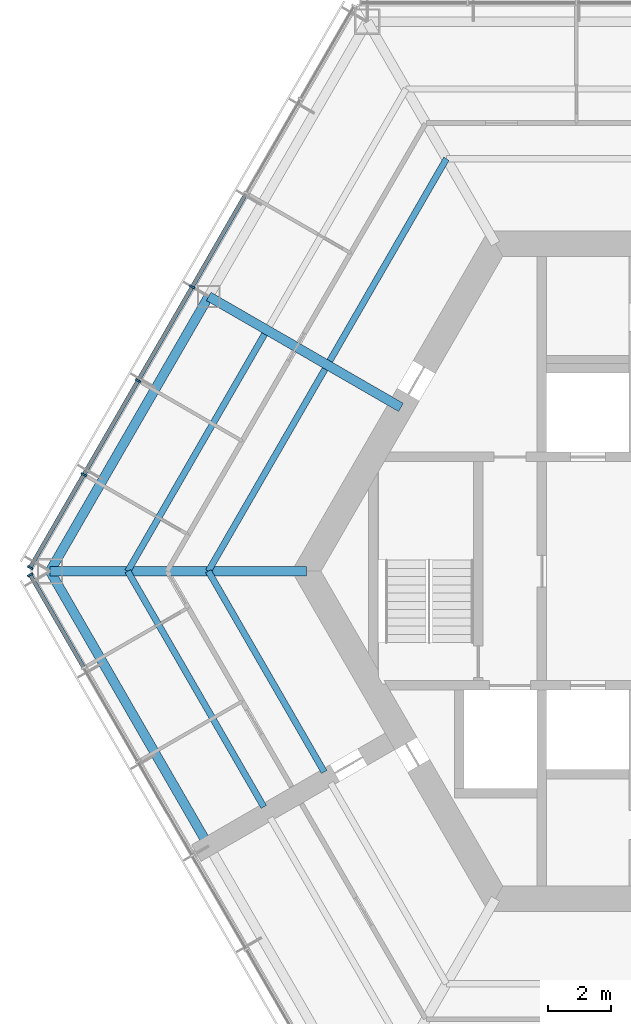
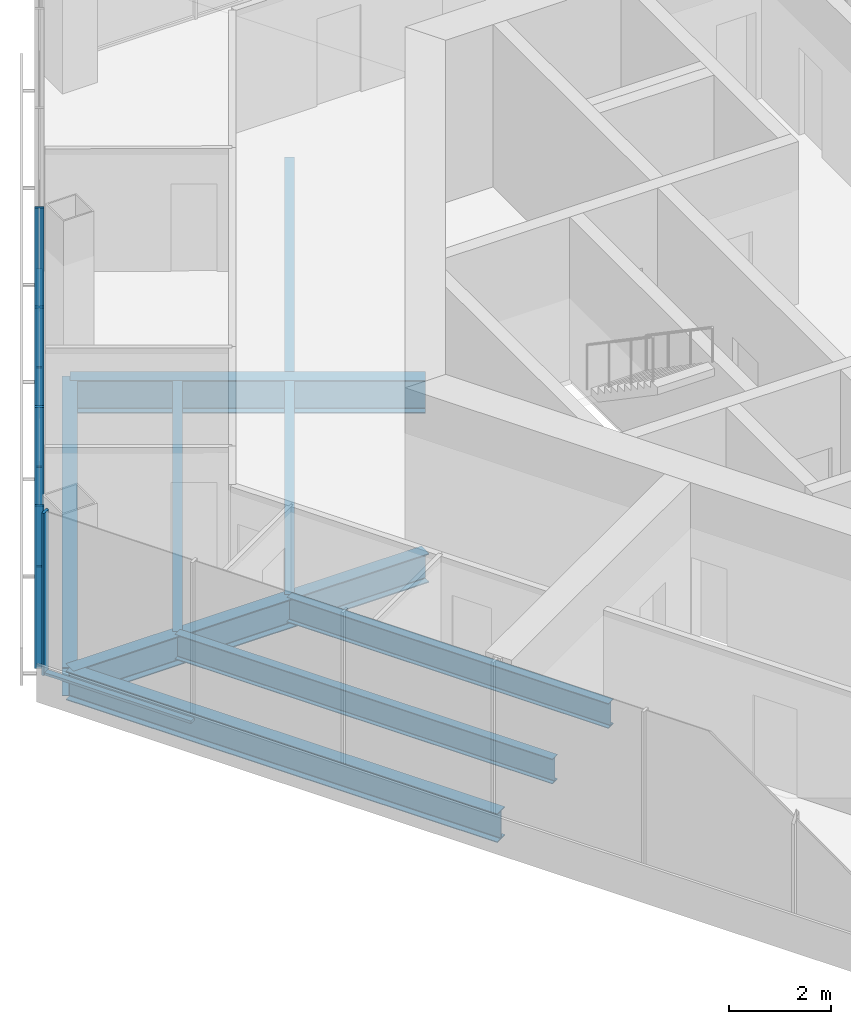
# One storey, part 3 of 13: 10 members, 9 beams, 2 elements without a shape of their own.
"""IFC4 building model written with IfcOpenShell, lengths in metres."""

from ifc_helpers import new_model, si_unit, direction, frame, origin, origin_2d, place, context, subcontext, project, spatial, rectangle, i_section, extrude, material, material_profile, profile_set, type_object, element, aggregate, save


model = new_model("IFC4")

# Units and contexts
model_context = context("Model", 3, precision=1e-05, world=origin(), true_north=direction((0.0, 1.0)))
body_context = subcontext(model_context, "Body", "Model", "MODEL_VIEW")
ifc_project = project(units=[si_unit("LENGTHUNIT", "METRE"), si_unit("AREAUNIT", "SQUARE_METRE"), si_unit("VOLUMEUNIT", "CUBIC_METRE"), si_unit("PLANEANGLEUNIT", "RADIAN"), si_unit("MASSUNIT", "GRAM", prefix="KILO")], contexts=[model_context])

# Site, building, storey
site_placement = place(None, origin())
site = spatial("IfcSite", under=ifc_project, at=site_placement, CompositionType="ELEMENT")
building_placement = place(site_placement, origin())
building = spatial("IfcBuilding", under=site, at=building_placement, Name="Kasaneha Research Tower", CompositionType="ELEMENT")
storey_placement = place(building_placement, frame((0.0, 0.0, 283.0)))
storey = spatial("IfcBuildingStorey", under=building, at=storey_placement, Name="L71", CompositionType="ELEMENT", Elevation=283.0)

# Beams
ifc_material_1 = material(Name="Steel SN490B", Category="steel")
ifc_material_profile_1 = material_profile(ifc_material_1, i_section(OverallWidth=0.199951171875, OverallDepth=0.60009765625, WebThickness=0.010986328125, FlangeThickness=0.01708984375, FilletRadius=0.012939453125, at=origin_2d()), Name="H-600x200x11x17")
ifc_profile_set_1 = profile_set([ifc_material_profile_1], Name="Steel SN490B")
beam_type_1 = type_object("IfcBeamType", Name="B1-3 secondary beam H-600x200x11x17", PredefinedType="JOIST", material=ifc_profile_set_1)
for number, where, z_axis, x_axis, name in (
    (1, (-7.505615234375, 13.0, -0.449951171875), (-0.499994443168, -0.866028611999, 0.0), (0.866028611999, -0.499994443168, 0.0), "Secondary beam RS150L1 L71"),
    (2, (-15.010986328125, 0.0, -0.449951171875), (0.499994443168, 0.866028611999, 0.0), (-0.866028611999, 0.499994443168, 0.0), "Secondary beam RS150R1 L71"),
):
    element("IfcBeam", number, at=place(storey_placement, frame(where, z_axis=z_axis, x_axis=x_axis)), inside=storey, type_object=beam_type_1, Name=name, PredefinedType="JOIST", context=body_context, shape_type="SweptSolid", body=[
        extrude(i_section(OverallWidth=0.199951171875, OverallDepth=0.60009765625, WebThickness=0.010986328125, FlangeThickness=0.01708984375, FilletRadius=0.012939453125, at=origin_2d()), origin(), (0.0, 0.0, 1.0), 7.35546875),
    ])
beam_1_placement = place(storey_placement, frame((-17.551513671875, 0.0, -0.449951171875), z_axis=(0.5000050195, 0.866022505755, 0.0), x_axis=(-0.866022505755, 0.5000050195, 0.0)))
element("IfcBeam", 3, at=beam_1_placement, inside=storey, type_object=beam_type_1, Name="Secondary beam RS150R2 L71", PredefinedType="JOIST", context=body_context, shape_type="SweptSolid", body=[
    extrude(i_section(OverallWidth=0.199951171875, OverallDepth=0.60009765625, WebThickness=0.010986328125, FlangeThickness=0.01708984375, FilletRadius=0.012939453125, at=origin_2d()), origin(), (0.0, 0.0, 1.0), 8.6259765625),
])
beam_2_placement = place(storey_placement, frame((-15.010986328125, 0.0, -0.449951171875), z_axis=(0.499974128195, -0.866040340363, 0.0), x_axis=(0.866040340363, 0.499974128195, 0.0)))
element("IfcBeam", 4, at=beam_2_placement, inside=storey, type_object=beam_type_1, Name="Secondary beam RS210L1 L71", PredefinedType="JOIST", context=body_context, shape_type="SweptSolid", body=[
    extrude(i_section(OverallWidth=0.199951171875, OverallDepth=0.60009765625, WebThickness=0.010986328125, FlangeThickness=0.01708984375, FilletRadius=0.012939453125, at=origin_2d()), origin(), (0.0, 0.0, 1.0), 7.3056640625),
])
beam_3_placement = place(storey_placement, frame((-17.551513671875, 0.0, -0.449951171875), z_axis=(0.500000102728, -0.866025344474, 0.0), x_axis=(0.866025344474, 0.500000102728, 0.0)))
element("IfcBeam", 5, at=beam_3_placement, inside=storey, type_object=beam_type_1, Name="Secondary beam RS210L2 L71", PredefinedType="JOIST", context=body_context, shape_type="SweptSolid", body=[
    extrude(i_section(OverallWidth=0.199951171875, OverallDepth=0.60009765625, WebThickness=0.010986328125, FlangeThickness=0.01708984375, FilletRadius=0.012939453125, at=origin_2d()), origin(), (0.0, 0.0, 1.0), 8.57568359375),
])

# Curtain wall, members
ifc_material_2 = material(Name="Glass and aluminium", Category="aluminium")
curtain_wall_type = type_object("IfcCurtainWallType", Name="Crown curtain wall", PredefinedType="USERDEFINED", material=ifc_material_2)
curtain_wall_1_placement = place(storey_placement, origin())
curtain_wall_1 = element("IfcCurtainWall", 6, at=curtain_wall_1_placement, inside=storey, type_object=curtain_wall_type, Name="CW-C L71 run 03a", ObjectType="UNITISED CURTAIN WALL", PredefinedType="USERDEFINED")
ifc_material_3 = material(Name="Aluminium 6063-T6", Category="aluminium")
ifc_material_profile_2 = material_profile(ifc_material_3, rectangle(XDim=0.06005859375, YDim=0.179931640625, at=origin_2d()), Name="CW-C mullion 60x180")
ifc_profile_set_2 = profile_set([ifc_material_profile_2], Name="Aluminium 6063-T6")
member_type_1 = type_object("IfcMemberType", Name="CW-C mullion", PredefinedType="MULLION", material=ifc_profile_set_2)
member_1_placement = place(storey_placement, frame((-15.51953125, 8.960205078125, 0.0), z_axis=(0.0, 0.0, 1.0), x_axis=(-0.499999995722, -0.866025406254, 0.0)))
member_1 = element("IfcMember", 7, at=member_1_placement, type_object=member_type_1, Name="CW-C mullion 4", PredefinedType="MULLION", context=body_context, shape_type="SweptSolid", body=[
    extrude(rectangle(XDim=0.06005859375, YDim=0.179931640625, at=origin_2d()), origin(), (0.0, 0.0, 1.0), 3.89990234375),
])
member_2_placement = place(storey_placement, frame((-17.227294921875, 6.00244140625, 0.0), z_axis=(0.0, 0.0, 1.0), x_axis=(-0.499999995722, -0.866025406254, 0.0)))
member_2 = element("IfcMember", 8, at=member_2_placement, type_object=member_type_1, Name="CW-C mullion 5", PredefinedType="MULLION", context=body_context, shape_type="SweptSolid", body=[
    extrude(rectangle(XDim=0.06005859375, YDim=0.179931640625, at=origin_2d()), origin(), (0.0, 0.0, 1.0), 3.89990234375),
])
member_3_placement = place(storey_placement, frame((-18.93505859375, 3.04443359375, 0.0), z_axis=(0.0, 0.0, 1.0), x_axis=(-0.499999995722, -0.866025406254, 0.0)))
member_3 = element("IfcMember", 9, at=member_3_placement, type_object=member_type_1, Name="CW-C mullion 6", PredefinedType="MULLION", context=body_context, shape_type="SweptSolid", body=[
    extrude(rectangle(XDim=0.06005859375, YDim=0.179931640625, at=origin_2d()), origin(), (0.0, 0.0, 1.0), 3.89990234375),
])
member_4_placement = place(storey_placement, frame((-20.6279296875, 0.112548828125, 0.0), z_axis=(0.0, 0.0, 1.0), x_axis=(-0.499999995722, -0.866025406254, 0.0)))
member_4 = element("IfcMember", 10, at=member_4_placement, type_object=member_type_1, Name="CW-C mullion 7", PredefinedType="MULLION", context=body_context, shape_type="SweptSolid", body=[
    extrude(rectangle(XDim=0.06005859375, YDim=0.179931640625, at=origin_2d()), origin(), (0.0, 0.0, 1.0), 3.89990234375),
])

# Curtain wall, member
curtain_wall_2_placement = place(storey_placement, origin())
curtain_wall_2 = element("IfcCurtainWall", 11, at=curtain_wall_2_placement, inside=storey, type_object=curtain_wall_type, Name="CW-C L71 run 04a", ObjectType="UNITISED CURTAIN WALL", PredefinedType="USERDEFINED")
member_5_placement = place(storey_placement, frame((-20.6279296875, -0.112548828125, 0.0), z_axis=(0.0, 0.0, 1.0), x_axis=(0.499999995722, -0.866025406254, 0.0)))
member_5 = element("IfcMember", 12, at=member_5_placement, type_object=member_type_1, Name="CW-C mullion 1", PredefinedType="MULLION", context=body_context, shape_type="SweptSolid", body=[
    extrude(rectangle(XDim=0.06005859375, YDim=0.179931640625, at=origin_2d()), origin(), (0.0, 0.0, 1.0), 3.89990234375),
])

# Member
ifc_material_4 = material(Name="Aluminium 6063-T6", Category="aluminium")
ifc_material_profile_3 = material_profile(ifc_material_4, rectangle(XDim=0.1298828125, YDim=0.06005859375, at=origin_2d()), Name="CW-C transom 130x60")
ifc_profile_set_3 = profile_set([ifc_material_profile_3], Name="Aluminium 6063-T6")
member_type_2 = type_object("IfcMemberType", Name="CW-C transom", PredefinedType="USERDEFINED", material=ifc_profile_set_3)
member_6_placement = place(storey_placement, frame((-13.826904296875, 11.89208984375, 0.030029296875), z_axis=(-0.500020578564, -0.866013522419, 0.0), x_axis=(0.866013522419, -0.500020578564, 0.0)))
member_6 = element("IfcMember", 13, at=member_6_placement, type_object=member_type_2, Name="CW-C transom 3", ObjectType="TRANSOM", PredefinedType="USERDEFINED", context=body_context, shape_type="SweptSolid", body=[
    extrude(rectangle(XDim=0.1298828125, YDim=0.06005859375, at=origin_2d()), origin(), (0.0, 0.0, 1.0), 3.355224609375),
])

member_7_placement = place(storey_placement, frame((-15.53466796875, 8.934326171875, 0.030029296875), z_axis=(-0.499989072476, -0.866031712701, 0.0), x_axis=(0.866031712701, -0.499989072476, 0.0)))
member_7 = element("IfcMember", 14, at=member_7_placement, type_object=member_type_2, Name="CW-C transom 4", ObjectType="TRANSOM", PredefinedType="USERDEFINED", context=body_context, shape_type="SweptSolid", body=[
    extrude(rectangle(XDim=0.1298828125, YDim=0.06005859375, at=origin_2d()), origin(), (0.0, 0.0, 1.0), 3.35546875),
])

member_8_placement = place(storey_placement, frame((-17.242431640625, 5.976318359375, 0.030029296875), z_axis=(-0.500020578564, -0.866013522419, 0.0), x_axis=(0.866013522419, -0.500020578564, 0.0)))
member_8 = element("IfcMember", 15, at=member_8_placement, type_object=member_type_2, Name="CW-C transom 5", ObjectType="TRANSOM", PredefinedType="USERDEFINED", context=body_context, shape_type="SweptSolid", body=[
    extrude(rectangle(XDim=0.1298828125, YDim=0.06005859375, at=origin_2d()), origin(), (0.0, 0.0, 1.0), 3.355224609375),
])

member_9_placement = place(storey_placement, frame((-18.9501953125, 3.0185546875, 0.030029296875), z_axis=(-0.49997666526, -0.866038875684, 0.0), x_axis=(0.866038875684, -0.49997666526, 0.0)))
member_9 = element("IfcMember", 16, at=member_9_placement, type_object=member_type_2, Name="CW-C transom 6", ObjectType="TRANSOM", PredefinedType="USERDEFINED", context=body_context, shape_type="SweptSolid", body=[
    extrude(rectangle(XDim=0.1298828125, YDim=0.06005859375, at=origin_2d()), origin(), (0.0, 0.0, 1.0), 3.325439453125),
])

aggregate(curtain_wall_1, [member_1, member_2, member_3, member_4, member_6, member_7, member_8, member_9])

member_10_placement = place(storey_placement, frame((-20.61279296875, -0.138671875, 0.030029296875), z_axis=(0.49997666526, -0.866038875684, 0.0), x_axis=(0.866038875684, 0.49997666526, 0.0)))
member_10 = element("IfcMember", 17, at=member_10_placement, type_object=member_type_2, Name="CW-C transom 1", ObjectType="TRANSOM", PredefinedType="USERDEFINED", context=body_context, shape_type="SweptSolid", body=[
    extrude(rectangle(XDim=0.1298828125, YDim=0.06005859375, at=origin_2d()), origin(), (0.0, 0.0, 1.0), 3.325439453125),
])

aggregate(curtain_wall_2, [member_5, member_10])

# Beams
ifc_material_5 = material(Name="Steel SN490B", Category="steel")
ifc_material_profile_4 = material_profile(ifc_material_5, i_section(OverallWidth=0.300048828125, OverallDepth=0.699951171875, WebThickness=0.012939453125, FlangeThickness=0.02392578125, FilletRadius=0.01806640625, at=origin_2d()), Name="H-700x300x13x24")
ifc_profile_set_4 = profile_set([ifc_material_profile_4], Name="Steel SN490B")
beam_type_2 = type_object("IfcBeamType", Name="G1-3 radial girder H-700x300x13x24", PredefinedType="BEAM", material=ifc_profile_set_4)
beam_4_placement = place(storey_placement, frame((-11.92236328125, 0.0, -0.5), z_axis=(-1.0, 0.0, 0.0), x_axis=(0.0, -1.0, 0.0)))
element("IfcBeam", 18, at=beam_4_placement, inside=storey, type_object=beam_type_2, Name="Radial girder RV180 L71", PredefinedType="BEAM", context=body_context, shape_type="SweptSolid", body=[
    extrude(i_section(OverallWidth=0.300048828125, OverallDepth=0.699951171875, WebThickness=0.012939453125, FlangeThickness=0.02392578125, FilletRadius=0.01806640625, at=origin_2d()), origin(), (0.0, 0.0, 1.0), 8.07763671875),
])
ifc_material_6 = material(Name="Steel SN490B", Category="steel")
ifc_material_profile_5 = material_profile(ifc_material_6, i_section(OverallWidth=0.300048828125, OverallDepth=0.800048828125, WebThickness=0.013916015625, FlangeThickness=0.02587890625, FilletRadius=0.01806640625, at=origin_2d()), Name="H-800x300x14x26")
ifc_profile_set_5 = profile_set([ifc_material_profile_5], Name="Steel SN490B")
beam_type_3 = type_object("IfcBeamType", Name="G2-3 radial girder H-800x300x14x26", PredefinedType="BEAM", material=ifc_profile_set_5)
beam_5_placement = place(storey_placement, frame((-8.941650390625, 5.16259765625, -0.550048828125), z_axis=(-0.866039713508, 0.499975214012, 0.0), x_axis=(-0.499975214012, -0.866039713508, 0.0)))
element("IfcBeam", 19, at=beam_5_placement, inside=storey, type_object=beam_type_3, Name="Radial girder RM150 L71", PredefinedType="BEAM", context=body_context, shape_type="SweptSolid", body=[
    extrude(i_section(OverallWidth=0.300048828125, OverallDepth=0.800048828125, WebThickness=0.013916015625, FlangeThickness=0.02587890625, FilletRadius=0.01806640625, at=origin_2d()), origin(), (0.0, 0.0, 1.0), 6.995361328125),
])
ifc_material_7 = material(Name="Steel SN490B", Category="steel")
ifc_material_profile_6 = material_profile(ifc_material_7, i_section(OverallWidth=0.300048828125, OverallDepth=0.69189453125, WebThickness=0.012939453125, FlangeThickness=0.02001953125, FilletRadius=0.01806640625, at=origin_2d()), Name="H-692x300x13x20")
ifc_profile_set_6 = profile_set([ifc_material_profile_6], Name="Steel SN490B")
beam_type_4 = type_object("IfcBeamType", Name="G3-3 plate edge girder H-692x300x13x20", PredefinedType="BEAM", material=ifc_profile_set_6)
beam_6_placement = place(storey_placement, frame((-20.0, 0.0, -0.49609375), z_axis=(0.49999201416, -0.866030014362, 0.0), x_axis=(0.866030014362, 0.49999201416, 0.0)))
element("IfcBeam", 20, at=beam_6_placement, inside=storey, type_object=beam_type_4, Name="Plate edge girder PEBP L71", PredefinedType="BEAM", context=body_context, shape_type="SweptSolid", body=[
    extrude(i_section(OverallWidth=0.300048828125, OverallDepth=0.69189453125, WebThickness=0.012939453125, FlangeThickness=0.02001953125, FilletRadius=0.01806640625, at=origin_2d()), origin(), (0.0, 0.0, 1.0), 9.800048828125),
])
ifc_material_8 = material(Name="Steel SN490B", Category="steel")
ifc_material_profile_7 = material_profile(ifc_material_8, i_section(OverallWidth=0.300048828125, OverallDepth=0.69189453125, WebThickness=0.012939453125, FlangeThickness=0.02001953125, FilletRadius=0.01806640625, at=origin_2d()), Name="H-692x300x13x20")
ifc_profile_set_7 = profile_set([ifc_material_profile_7], Name="Steel SN490B")
beam_type_5 = type_object("IfcBeamType", Name="SB1-3 spandrel beam H-692x300x13x20", PredefinedType="SPANDREL", material=ifc_profile_set_7)
beam_7_placement = place(storey_placement, frame((-20.0, 0.0, -0.49609375), z_axis=(0.500004234368, 0.866022959057, 0.0), x_axis=(-0.866022959057, 0.500004234368, 0.0)))
element("IfcBeam", 21, at=beam_7_placement, inside=storey, type_object=beam_type_5, Name="Spandrel beam SR150R L71", PredefinedType="SPANDREL", context=body_context, shape_type="SweptSolid", body=[
    extrude(i_section(OverallWidth=0.300048828125, OverallDepth=0.69189453125, WebThickness=0.012939453125, FlangeThickness=0.02001953125, FilletRadius=0.01806640625, at=origin_2d()), origin(), (0.0, 0.0, 1.0), 10.0),
])

save(model, "model.ifc")
